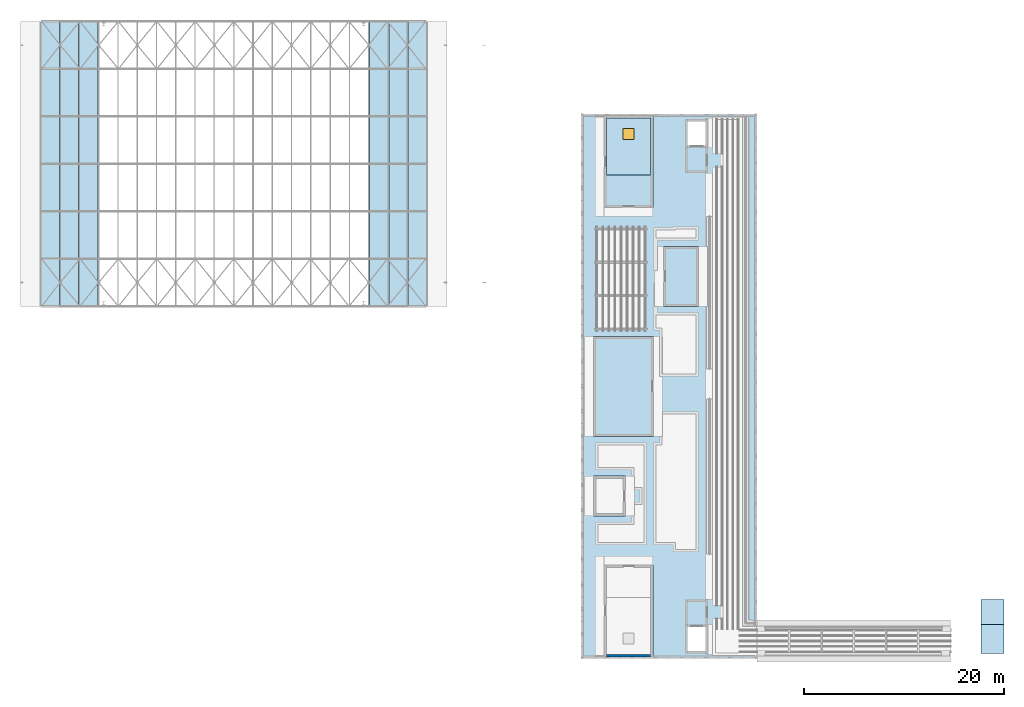
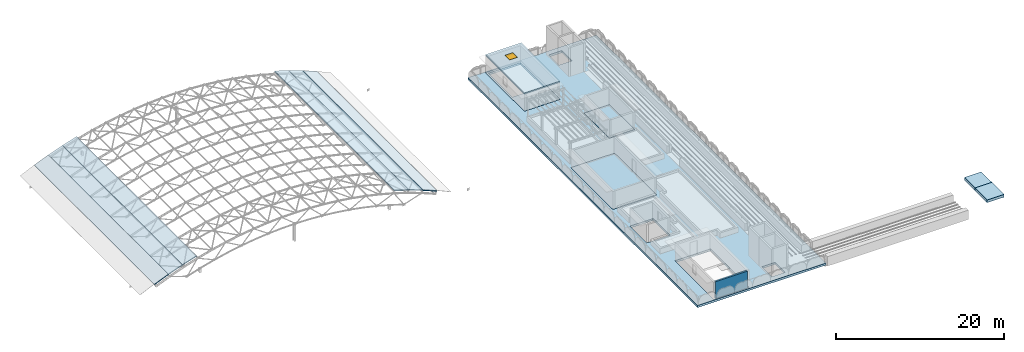
# One storey, part 9 of 22: 13 slabs, 1 wall, 1 window, 1 opening.
"""IFC4 building model written with IfcOpenShell, lengths in metres."""

from ifc_helpers import new_model, si_unit, direction, frame, frame_2d, origin, origin_2d, place, context, subcontext, project, spatial, polyline, rectangle, outline, extrude, material, layer, layer_set, type_object, element, fill, save


model = new_model("IFC4")

# Units and contexts
model_context = context("Model", 3, precision=1e-05, world=origin(), true_north=direction((0.0, 1.0)))
body_context = subcontext(model_context, "Body", "Model", "MODEL_VIEW")
ifc_project = project(units=[si_unit("LENGTHUNIT", "METRE"), si_unit("AREAUNIT", "SQUARE_METRE"), si_unit("VOLUMEUNIT", "CUBIC_METRE"), si_unit("PLANEANGLEUNIT", "RADIAN"), si_unit("MASSUNIT", "GRAM", prefix="KILO")], contexts=[model_context])

# Site, building, storey
site_placement = place(None, origin())
site = spatial("IfcSite", under=ifc_project, at=site_placement, CompositionType="ELEMENT")
building_placement = place(site_placement, origin())
building = spatial("IfcBuilding", under=site, at=building_placement, Name="Elbe Cascade School", CompositionType="ELEMENT")
storey_placement = place(building_placement, frame((0.0, 0.0, 18.89990234375)))
storey = spatial("IfcBuildingStorey", under=building, at=storey_placement, Name="R05", CompositionType="ELEMENT", Elevation=18.89990234375)

# Slabs
ifc_material_1 = material(Name="Steel S350GD+Z insulated deck", Category="steel")
ifc_layer_1 = layer(ifc_material_1, 0.1201171875)
ifc_layer_set_1 = layer_set([ifc_layer_1], Name="Steel S350GD+Z insulated deck")
slab_type_1 = type_object("IfcSlabType", Name="Hall roof deck insulated steel sheet 120", PredefinedType="ROOF", material=ifc_layer_set_1)
slab_1_placement = place(storey_placement, frame((14.6171875, 41.0, 0.65673828125), z_axis=(-0.381489237895, 0.0, 0.92437328032), x_axis=(0.92437328032, 0.0, 0.381489237895)))
element("IfcSlab", 1, at=slab_1_placement, inside=storey, type_object=slab_type_1, Name="Roof deck 5", PredefinedType="ROOF", context=body_context, shape_type="SweptSolid", body=[
    extrude(outline(polyline([(0.0, 0.0), (2.09205299611734, 0.0), (2.09205299611734, 28.5), (0.0, 28.5), (0.0, 0.0)])), origin(), (0.0, 0.0, -1.0), 0.1201171875),
])
slab_2_placement = place(storey_placement, frame((16.5556640625, 41.0, 1.456787109375), z_axis=(-0.341390517687, 0.0, 0.939921546957), x_axis=(0.939921546957, 0.0, 0.341390517687)))
element("IfcSlab", 2, at=slab_2_placement, inside=storey, type_object=slab_type_1, Name="Roof deck 6", PredefinedType="ROOF", context=body_context, shape_type="SweptSolid", body=[
    extrude(outline(polyline([(0.0, 0.0), (2.0574460675852557, 0.0), (2.0574460675852557, 28.5), (0.0, 28.5), (0.0, 0.0)])), origin(), (0.0, 0.0, -1.0), 0.1201171875),
])
for number, where, z_axis, x_axis, name in (
    (3, (18.494384765625, 41.0, 2.16064453125), (-0.301235084087, 0.0, 0.953549906463), (0.953549906463, 0.0, 0.301235084087), "Roof deck 7"),
    (4, (47.572021484375, 41.0, 2.771484375), (0.301235084087, 0.0, 0.953549906463), (0.953549906463, 0.0, -0.301235084087), "Roof deck 22"),
):
    element("IfcSlab", number, at=place(storey_placement, frame(where, z_axis=z_axis, x_axis=x_axis)), inside=storey, type_object=slab_type_1, Name=name, PredefinedType="ROOF", context=body_context, shape_type="SweptSolid", body=[
        extrude(outline(polyline([(0.0, 0.0), (2.0277845311451577, 0.0), (2.0277845311451577, 28.5), (0.0, 28.5), (0.0, 0.0)])), origin(), (0.0, 0.0, -1.0), 0.1201171875),
    ])
slab_3_placement = place(storey_placement, frame((49.510498046875, 41.0, 2.1591796875), z_axis=(0.341390517687, 0.0, 0.939921546957), x_axis=(0.939921546957, 0.0, -0.341390517687)))
element("IfcSlab", 5, at=slab_3_placement, inside=storey, type_object=slab_type_1, Name="Roof deck 23", PredefinedType="ROOF", context=body_context, shape_type="SweptSolid", body=[
    extrude(outline(polyline([(0.0, 0.0), (2.0574460675852557, 0.0), (2.0574460675852557, 28.5), (0.0, 28.5), (0.0, 0.0)])), origin(), (0.0, 0.0, -1.0), 0.1201171875),
])
slab_4_placement = place(storey_placement, frame((51.448974609375, 41.0, 1.454833984375), z_axis=(0.381489237895, 0.0, 0.92437328032), x_axis=(0.92437328032, 0.0, -0.381489237895)))
element("IfcSlab", 6, at=slab_4_placement, inside=storey, type_object=slab_type_1, Name="Roof deck 24", PredefinedType="ROOF", context=body_context, shape_type="SweptSolid", body=[
    extrude(outline(polyline([(0.0, 0.0), (2.09205299611734, 0.0), (2.09205299611734, 28.5), (0.0, 28.5), (0.0, 0.0)])), origin(), (0.0, 0.0, -1.0), 0.1201171875),
])
ifc_material_2 = material(Name="Concrete C30/37", Category="concrete")
ifc_layer_2 = layer(ifc_material_2, 0.300048828125)
ifc_layer_set_2 = layer_set([ifc_layer_2], Name="Concrete C30/37")
slab_type_2 = type_object("IfcSlabType", Name="Head-house floor slab 300", PredefinedType="FLOOR", material=ifc_layer_set_2)
slab_5_placement = place(storey_placement, frame((0.0, 0.0, -0.2998046875)))
element("IfcSlab", 7, at=slab_5_placement, inside=storey, type_object=slab_type_2, Name="Head-house floor slab 300 S7", PredefinedType="FLOOR", context=body_context, shape_type="SweptSolid", body=[
    extrude(outline(polyline([(70.0, 28.0), (76.0, 28.0), (76.0, 38.0), (70.0, 38.0), (70.0, 28.0)])), origin(), (0.0, 0.0, 1.0), 0.2998046875),
])
slab_6_placement = place(storey_placement, frame((0.0, 0.0, -0.2998046875)))
element("IfcSlab", 8, at=slab_6_placement, inside=storey, type_object=slab_type_2, Name="Head-house floor slab 300 S7", PredefinedType="FLOOR", context=body_context, shape_type="SweptSolid", body=[
    extrude(outline(polyline([(77.0, 41.0), (80.5, 41.0), (80.5, 47.0), (77.0, 47.0), (77.0, 41.0)])), origin(), (0.0, 0.0, 1.0), 0.2998046875),
])
slab_7_placement = place(storey_placement, frame((0.0, 0.0, -0.2998046875)))
element("IfcSlab", 9, at=slab_7_placement, inside=storey, type_object=slab_type_2, Name="Head-house floor slab 300 S7", PredefinedType="FLOOR", context=body_context, shape_type="SweptSolid", body=[
    extrude(outline(polyline([(71.050048828125, 50.875), (75.949951171875, 50.875), (75.949951171875, 60.070068359375), (71.050048828125, 60.070068359375), (71.050048828125, 50.875)]), holes=[polyline([(71.300048828125, 54.1201171875), (75.699951171875, 54.1201171875), (75.699951171875, 59.820068359375), (71.300048828125, 59.820068359375), (71.300048828125, 54.1201171875)])]), origin(), (0.0, 0.0, 1.0), 0.2998046875),
])
ifc_material_3 = material(Name="Concrete C30/37", Category="concrete")
ifc_layer_3 = layer(ifc_material_3, 0.39990234375)
ifc_layer_set_3 = layer_set([ifc_layer_3], Name="Concrete C30/37")
slab_type_3 = type_object("IfcSlabType", Name="Lift machine roof slab 400", PredefinedType="ROOF", material=ifc_layer_set_3)
slab_8_placement = place(storey_placement, frame((0.0, 0.0, 0.60009765625)))
element("IfcSlab", 10, at=slab_8_placement, inside=storey, type_object=slab_type_3, Name="Lift machine roof slab 400 S6", PredefinedType="ROOF", context=body_context, shape_type="SweptSolid", body=[
    extrude(outline(polyline([(108.75, 6.25), (111.050048828125, 6.25), (111.050048828125, 9.14990234375), (108.75, 9.14990234375), (108.75, 6.25)])), origin(), (0.0, 0.0, 1.0), 0.39990234375),
])
slab_9_placement = place(storey_placement, frame((0.0, 0.0, 0.60009765625)))
element("IfcSlab", 11, at=slab_9_placement, inside=storey, type_object=slab_type_3, Name="Lift machine roof slab 400 S6", PredefinedType="ROOF", context=body_context, shape_type="SweptSolid", body=[
    extrude(outline(polyline([(108.75, 9.14990234375), (111.050048828125, 9.14990234375), (111.050048828125, 11.64990234375), (108.75, 11.64990234375), (108.75, 9.14990234375)])), origin(), (0.0, 0.0, 1.0), 0.39990234375),
])
ifc_material_4 = material(Name="Concrete C30/37", Category="concrete")
ifc_layer_4 = layer(ifc_material_4, 0.300048828125)
ifc_layer_set_4 = layer_set([ifc_layer_4], Name="Concrete C30/37")
slab_type_4 = type_object("IfcSlabType", Name="Roof deck slab 300", PredefinedType="ROOF", material=ifc_layer_set_4)
slab_10_placement = place(storey_placement, frame((0.0, 0.0, -0.2998046875)))
element("IfcSlab", 12, at=slab_10_placement, inside=storey, type_object=slab_type_4, Name="Roof deck slab 300 S3", PredefinedType="ROOF", context=body_context, shape_type="SweptSolid", body=[
    extrude(outline(polyline([(68.75, 5.75), (86.35009765625, 5.75), (86.35009765625, 60.25), (68.75, 60.25), (68.75, 5.75)]), holes=[polyline([(71.050048828125, 5.929931640625), (75.949951171875, 5.929931640625), (75.949951171875, 15.125), (71.050048828125, 15.125), (71.050048828125, 5.929931640625)]), polyline([(79.39990234375, 6.5), (81.199951171875, 6.5), (81.199951171875, 8.89990234375), (79.39990234375, 8.89990234375), (79.39990234375, 6.5)]), polyline([(71.050048828125, 50.875), (75.949951171875, 50.875), (75.949951171875, 60.070068359375), (71.050048828125, 60.070068359375), (71.050048828125, 50.875)]), polyline([(79.39990234375, 57.10009765625), (81.199951171875, 57.10009765625), (81.199951171875, 59.5), (79.39990234375, 59.5), (79.39990234375, 57.10009765625)]), polyline([(70.0, 28.0), (76.0, 28.0), (76.0, 38.0), (70.0, 38.0), (70.0, 28.0)]), polyline([(70.0, 20.0), (73.199951171875, 20.0), (73.199951171875, 24.0), (70.0, 24.0), (70.0, 20.0)]), polyline([(77.0, 41.0), (80.5, 41.0), (80.5, 47.0), (77.0, 47.0), (77.0, 41.0)])]), origin(), (0.0, 0.0, 1.0), 0.2998046875),
])

# Slab, opening, window
ifc_material_5 = material(Name="Concrete C30/37", Category="concrete")
ifc_layer_5 = layer(ifc_material_5, 0.199951171875)
ifc_layer_set_5 = layer_set([ifc_layer_5], Name="Concrete C30/37")
slab_type_5 = type_object("IfcSlabType", Name="Roof slab 200", PredefinedType="ROOF", material=ifc_layer_set_5)
slab_11_placement = place(storey_placement, frame((0.0, 0.0, 2.4501953125)))
slab_11 = element("IfcSlab", 13, at=slab_11_placement, inside=storey, type_object=slab_type_5, Name="Roof slab 200 S4", PredefinedType="ROOF", context=body_context, shape_type="SweptSolid", body=[
    extrude(outline(polyline([(71.050048828125, 50.875), (75.949951171875, 50.875), (75.949951171875, 60.070068359375), (71.050048828125, 60.070068359375), (71.050048828125, 50.875)])), origin(), (0.0, 0.0, 1.0), 0.199951171875),
])
opening_placement = place(slab_11_placement, frame((73.5, 58.219970703125, 0.0)))
opening = element("IfcOpeningElement", 14, at=opening_placement, cuts=slab_11, Name="Opening W5.001", PredefinedType="OPENING", context=body_context, shape_type="SweptSolid", body=[
    extrude(rectangle(XDim=1.10009765625, YDim=1.10009765625, at=origin_2d()), origin(), (0.0, 0.0, 1.0), 0.199951171875),
])
ifc_material_6 = material(Name="Aluminium frame with smoke-vent flap, bronze anodised", Category="aluminium")
window_type = type_object("IfcWindowType", Name="Stair smoke vent 1100x1100", PartitioningType="SINGLE_PANEL", PredefinedType="SKYLIGHT", material=ifc_material_6)
window_placement = place(opening_placement, frame((0.0, 0.0, 0.14990234375)))
window = element("IfcWindow", 15, at=window_placement, inside=storey, type_object=window_type, Name="Stair smoke vent 1100x1100 W5.001", OverallHeight=1.10009765625, OverallWidth=1.10009765625, PartitioningType="SINGLE_PANEL", PredefinedType="SKYLIGHT", context=body_context, shape_type="SweptSolid", body=[
    extrude(rectangle(XDim=1.10009765625, YDim=1.10009765625, at=origin_2d()), origin(), (0.0, 0.0, 1.0), 0.050048828125),
])
fill(opening, window)

# Wall
ifc_material_7 = material(Name="Concrete C30/37", Category="concrete")
ifc_layer_6 = layer(ifc_material_7, 0.25)
ifc_layer_set_6 = layer_set([ifc_layer_6], Name="Concrete C30/37")
wall_type = type_object("IfcWallType", Name="Head-house wall 250", PredefinedType="SOLIDWALL", material=ifc_layer_set_6)
wall_placement = place(storey_placement, frame((71.300048828125, 6.054931640625, 0.0), z_axis=(0.0, 0.0, 1.0), x_axis=(1.0, 0.0, 0.0)))
element("IfcWall", 16, at=wall_placement, inside=storey, type_object=wall_type, Name="Head-house wall 250 W2", PredefinedType="SOLIDWALL", context=body_context, shape_type="SweptSolid", body=[
    extrude(rectangle(XDim=4.39990234375, YDim=0.25, at=frame_2d((2.199951171875, 0.0))), origin(), (0.0, 0.0, 1.0), 2.4501953125),
])

save(model, "model.ifc")
